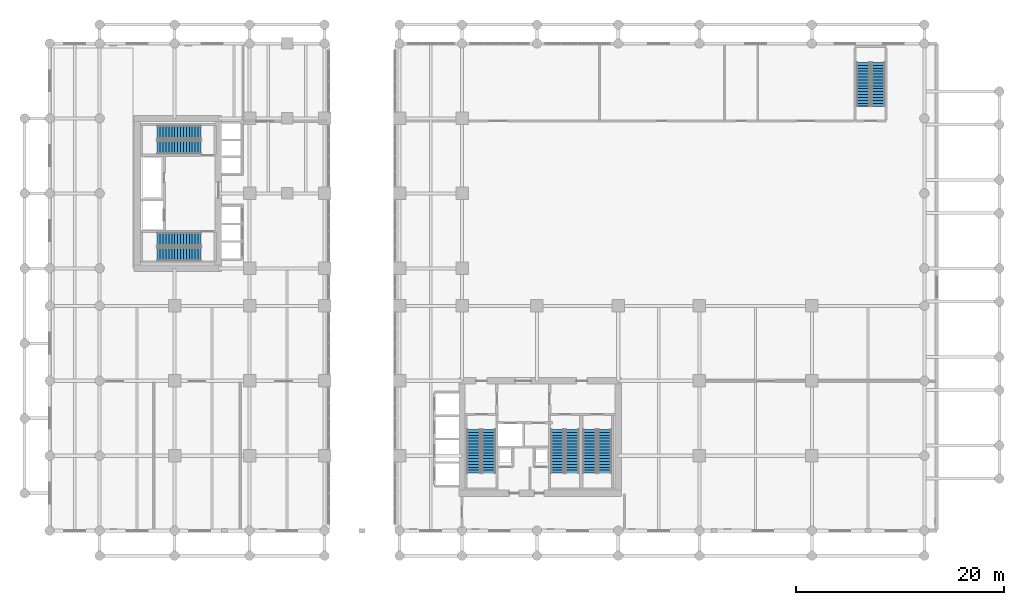
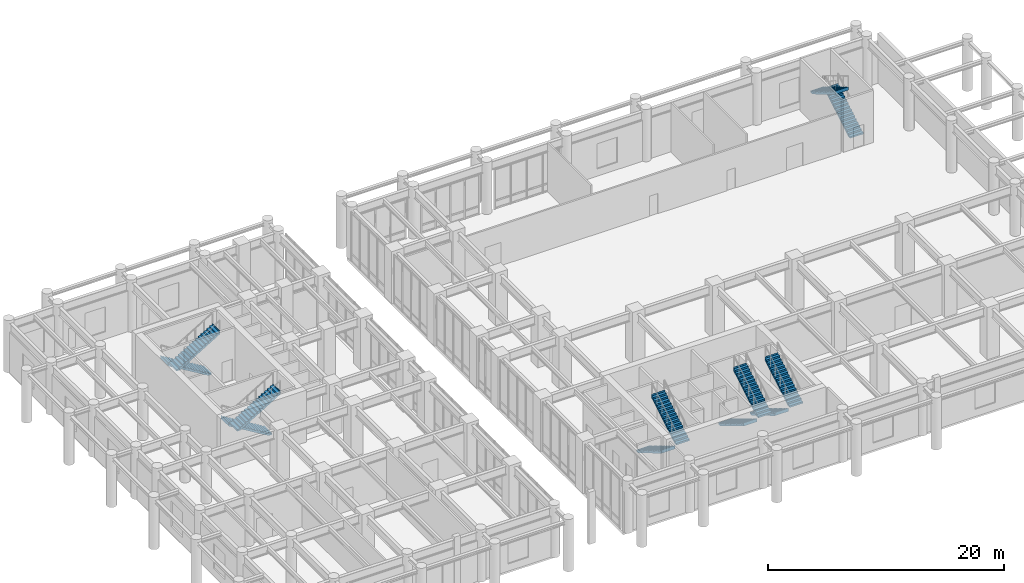
# One storey, part 19 of 23: 12 stair flights, 6 elements without a shape of their own.
"""IFC4 building model written with IfcOpenShell, lengths in metres."""

from ifc_helpers import new_model, si_unit, derived_unit, direction, frame, origin, place, context, subcontext, project, spatial, polyline, outline, extrude, source, transform, mapped, material, layer, layer_set, type_object, element, aggregate, save


model = new_model("IFC4")

# Units and contexts
model_context = context("Model", 3, precision=1e-05, world=origin(), true_north=direction((0.0, 1.0)))
body_context = subcontext(model_context, "Body", "Model", "MODEL_VIEW")
ifc_project = project(units=[si_unit("LENGTHUNIT", "METRE"), si_unit("AREAUNIT", "SQUARE_METRE"), si_unit("VOLUMEUNIT", "CUBIC_METRE"), si_unit("PLANEANGLEUNIT", "RADIAN"), si_unit("MASSUNIT", "GRAM", prefix="KILO"), si_unit("THERMODYNAMICTEMPERATUREUNIT", "KELVIN"), si_unit("POWERUNIT", "WATT"), derived_unit("THERMALTRANSMITTANCEUNIT", [(si_unit("POWERUNIT", "WATT"), 1), (si_unit("AREAUNIT", "SQUARE_METRE"), -1), (si_unit("THERMODYNAMICTEMPERATUREUNIT", "KELVIN"), -1)])], contexts=[model_context])

# Site, building, storey
site_placement = place(None, origin())
site = spatial("IfcSite", under=ifc_project, at=site_placement, CompositionType="ELEMENT")
building_placement = place(site_placement, origin())
building = spatial("IfcBuilding", under=site, at=building_placement, Name="Zahravan Archway Hotel and Residences", CompositionType="ELEMENT")
storey_placement = place(building_placement, frame((0.0, 0.0, 5.39990234375)))
storey = spatial("IfcBuildingStorey", under=building, at=storey_placement, Name="L01", CompositionType="ELEMENT", Elevation=5.39990234375)

# Stair, stair flights
ifc_material = material(Name="Concrete C50/60", Category="concrete")
stair_type = type_object("IfcStairType", Name="STR-CORE-1300", PredefinedType="HALF_TURN_STAIR", material=ifc_material)
stair_1_placement = place(storey_placement, origin())
stair_1 = element("IfcStair", 1, at=stair_1_placement, inside=storey, type_object=stair_type, Name="L01 Core A Exit Stair 1", PredefinedType="HALF_TURN_STAIR")
ifc_layer = layer(ifc_material, 0.199951171875, Name="Concrete C50/60", Category="concrete")
ifc_layer_set = layer_set([ifc_layer], Name="Concrete C50/60")
stair_flight_type = type_object("IfcStairFlightType", Name="SFL-CORE-1300", PredefinedType="STRAIGHT", material=ifc_layer_set)
shared_shape = source(origin(), body_context, "Body", "SweptSolid", [
    extrude(outline(polyline([(-0.01611328125, 0.0), (-0.01611328125, 0.168701171875), (0.280029296875, 0.168701171875), (0.280029296875, 0.33740234375), (0.56005859375, 0.33740234375), (0.56005859375, 0.50634765625), (0.840087890625, 0.50634765625), (0.840087890625, 0.675048828125), (1.1201171875, 0.675048828125), (1.1201171875, 0.84375), (1.39990234375, 0.84375), (1.39990234375, 1.012451171875), (1.679931640625, 1.012451171875), (1.679931640625, 1.18115234375), (1.9599609375, 1.18115234375), (1.9599609375, 1.35009765625), (2.239990234375, 1.35009765625), (2.239990234375, 1.518798828125), (2.52001953125, 1.518798828125), (2.52001953125, 1.6875), (2.800048828125, 1.6875), (2.800048828125, 1.856201171875), (3.080078125, 1.856201171875), (3.080078125, 2.02490234375), (3.360107421875, 2.02490234375), (3.360107421875, 2.19384765625), (3.639892578125, 2.19384765625), (3.639892578125, 2.362548828125), (3.919921875, 2.362548828125), (3.919921875, 2.53125), (4.199951171875, 2.53125), (4.199951171875, 2.699951171875), (4.216064453125, 2.699951171875), (4.216064453125, 2.356201171875), (0.29052734375, 0.0), (-0.01611328125, 0.0)])), frame((0.0, 0.64990234375, 0.0), z_axis=(0.0, -1.0, 0.0), x_axis=(1.0, 0.0, 0.0)), (0.0, 0.0, 1.0), 1.300048828125),
])
stair_flight_1_placement = place(storey_placement, frame((35.949951171875, 9.72998046875, 0.0), z_axis=(0.0, 0.0, 1.0), x_axis=(0.0, -1.0, 0.0)))
stair_flight_1 = element("IfcStairFlight", 2, at=stair_flight_1_placement, type_object=stair_flight_type, Name="ST-A1 flight 1", NumberOfRisers=16, NumberOfTreads=15, PredefinedType="STRAIGHT", RiserHeight=0.16875, TreadLength=0.28, context=body_context, shape_type="MappedRepresentation", body=[
    mapped(shared_shape, transform((0.0, 0.0, 0.0), scale=1.0)),
])
stair_flight_2_placement = place(storey_placement, frame((37.389892578125, 5.530029296875, 2.7001953125), z_axis=(0.0, 0.0, 1.0), x_axis=(0.0, 1.0, 0.0)))
stair_flight_2 = element("IfcStairFlight", 3, at=stair_flight_2_placement, type_object=stair_flight_type, Name="ST-A1 flight 2", NumberOfRisers=16, NumberOfTreads=15, PredefinedType="STRAIGHT", RiserHeight=0.16875, TreadLength=0.28, context=body_context, shape_type="MappedRepresentation", body=[
    mapped(shared_shape, transform((0.0, 0.0, 0.0), scale=1.0)),
])
aggregate(stair_1, [stair_flight_1, stair_flight_2])

stair_2_placement = place(storey_placement, origin())
stair_2 = element("IfcStair", 4, at=stair_2_placement, inside=storey, type_object=stair_type, Name="L01 Core A Exit Stair 2", PredefinedType="HALF_TURN_STAIR")
stair_flight_3_placement = place(storey_placement, frame((43.969970703125, 9.72998046875, 0.0), z_axis=(0.0, 0.0, 1.0), x_axis=(0.0, -1.0, 0.0)))
stair_flight_3 = element("IfcStairFlight", 5, at=stair_flight_3_placement, type_object=stair_flight_type, Name="ST-A2 flight 1", NumberOfRisers=16, NumberOfTreads=15, PredefinedType="STRAIGHT", RiserHeight=0.16875, TreadLength=0.28, context=body_context, shape_type="MappedRepresentation", body=[
    mapped(shared_shape, transform((0.0, 0.0, 0.0), scale=1.0)),
])
stair_flight_4_placement = place(storey_placement, frame((45.409912109375, 5.530029296875, 2.7001953125), z_axis=(0.0, 0.0, 1.0), x_axis=(0.0, 1.0, 0.0)))
stair_flight_4 = element("IfcStairFlight", 6, at=stair_flight_4_placement, type_object=stair_flight_type, Name="ST-A2 flight 2", NumberOfRisers=16, NumberOfTreads=15, PredefinedType="STRAIGHT", RiserHeight=0.16875, TreadLength=0.28, context=body_context, shape_type="MappedRepresentation", body=[
    mapped(shared_shape, transform((0.0, 0.0, 0.0), scale=1.0)),
])
aggregate(stair_2, [stair_flight_3, stair_flight_4])

stair_3_placement = place(storey_placement, origin())
stair_3 = element("IfcStair", 7, at=stair_3_placement, inside=storey, type_object=stair_type, Name="L01 Core A Exit Stair 3", PredefinedType="HALF_TURN_STAIR")
stair_flight_5_placement = place(storey_placement, frame((47.050048828125, 9.72998046875, 0.0), z_axis=(0.0, 0.0, 1.0), x_axis=(0.0, -1.0, 0.0)))
stair_flight_5 = element("IfcStairFlight", 8, at=stair_flight_5_placement, type_object=stair_flight_type, Name="ST-A3 flight 1", NumberOfRisers=16, NumberOfTreads=15, PredefinedType="STRAIGHT", RiserHeight=0.16875, TreadLength=0.28, context=body_context, shape_type="MappedRepresentation", body=[
    mapped(shared_shape, transform((0.0, 0.0, 0.0), scale=1.0)),
])
stair_flight_6_placement = place(storey_placement, frame((48.489990234375, 5.530029296875, 2.7001953125), z_axis=(0.0, 0.0, 1.0), x_axis=(0.0, 1.0, 0.0)))
stair_flight_6 = element("IfcStairFlight", 9, at=stair_flight_6_placement, type_object=stair_flight_type, Name="ST-A3 flight 2", NumberOfRisers=16, NumberOfTreads=15, PredefinedType="STRAIGHT", RiserHeight=0.16875, TreadLength=0.28, context=body_context, shape_type="MappedRepresentation", body=[
    mapped(shared_shape, transform((0.0, 0.0, 0.0), scale=1.0)),
])
aggregate(stair_3, [stair_flight_5, stair_flight_6])

stair_4_placement = place(storey_placement, origin())
stair_4 = element("IfcStair", 10, at=stair_4_placement, inside=storey, type_object=stair_type, Name="L01 Core B Exit Stair 1", PredefinedType="HALF_TURN_STAIR")
stair_flight_7_placement = place(storey_placement, frame((9.72998046875, 27.989990234375, 0.0), z_axis=(0.0, 0.0, 1.0), x_axis=(-1.0, 0.0, 0.0)))
stair_flight_7 = element("IfcStairFlight", 11, at=stair_flight_7_placement, type_object=stair_flight_type, Name="ST-B1 flight 1", NumberOfRisers=16, NumberOfTreads=15, PredefinedType="STRAIGHT", RiserHeight=0.16875, TreadLength=0.28, context=body_context, shape_type="MappedRepresentation", body=[
    mapped(shared_shape, transform((0.0, 0.0, 0.0), scale=1.0)),
])
stair_flight_8_placement = place(storey_placement, frame((5.530029296875, 26.550048828125, 2.7001953125), z_axis=(0.0, 0.0, 1.0), x_axis=(1.0, 0.0, 0.0)))
stair_flight_8 = element("IfcStairFlight", 12, at=stair_flight_8_placement, type_object=stair_flight_type, Name="ST-B1 flight 2", NumberOfRisers=16, NumberOfTreads=15, PredefinedType="STRAIGHT", RiserHeight=0.16875, TreadLength=0.28, context=body_context, shape_type="MappedRepresentation", body=[
    mapped(shared_shape, transform((0.0, 0.0, 0.0), scale=1.0)),
])
aggregate(stair_4, [stair_flight_7, stair_flight_8])

stair_5_placement = place(storey_placement, origin())
stair_5 = element("IfcStair", 13, at=stair_5_placement, inside=storey, type_object=stair_type, Name="L01 Core B Exit Stair 2", PredefinedType="HALF_TURN_STAIR")
stair_flight_9_placement = place(storey_placement, frame((9.72998046875, 38.25, 0.0), z_axis=(0.0, 0.0, 1.0), x_axis=(-1.0, 0.0, 0.0)))
stair_flight_9 = element("IfcStairFlight", 14, at=stair_flight_9_placement, type_object=stair_flight_type, Name="ST-B2 flight 1", NumberOfRisers=16, NumberOfTreads=15, PredefinedType="STRAIGHT", RiserHeight=0.16875, TreadLength=0.28, context=body_context, shape_type="MappedRepresentation", body=[
    mapped(shared_shape, transform((0.0, 0.0, 0.0), scale=1.0)),
])
stair_flight_10_placement = place(storey_placement, frame((5.530029296875, 36.81005859375, 2.7001953125), z_axis=(0.0, 0.0, 1.0), x_axis=(1.0, 0.0, 0.0)))
stair_flight_10 = element("IfcStairFlight", 15, at=stair_flight_10_placement, type_object=stair_flight_type, Name="ST-B2 flight 2", NumberOfRisers=16, NumberOfTreads=15, PredefinedType="STRAIGHT", RiserHeight=0.16875, TreadLength=0.28, context=body_context, shape_type="MappedRepresentation", body=[
    mapped(shared_shape, transform((0.0, 0.0, 0.0), scale=1.0)),
])
aggregate(stair_5, [stair_flight_9, stair_flight_10])

stair_6_placement = place(storey_placement, origin())
stair_6 = element("IfcStair", 16, at=stair_6_placement, inside=storey, type_object=stair_type, Name="L01 East Station Galleria Exit Stair", PredefinedType="HALF_TURN_STAIR")
stair_flight_11_placement = place(storey_placement, frame((74.75, 40.77001953125, 0.0), z_axis=(0.0, 0.0, 1.0), x_axis=(0.0, 1.0, 0.0)))
stair_flight_11 = element("IfcStairFlight", 17, at=stair_flight_11_placement, type_object=stair_flight_type, Name="ST-P1 flight 1", NumberOfRisers=16, NumberOfTreads=15, PredefinedType="STRAIGHT", RiserHeight=0.16875, TreadLength=0.28, context=body_context, shape_type="MappedRepresentation", body=[
    mapped(shared_shape, transform((0.0, 0.0, 0.0), scale=1.0)),
])
stair_flight_12_placement = place(storey_placement, frame((73.31005859375, 44.969970703125, 2.7001953125), z_axis=(0.0, 0.0, 1.0), x_axis=(0.0, -1.0, 0.0)))
stair_flight_12 = element("IfcStairFlight", 18, at=stair_flight_12_placement, type_object=stair_flight_type, Name="ST-P1 flight 2", NumberOfRisers=16, NumberOfTreads=15, PredefinedType="STRAIGHT", RiserHeight=0.16875, TreadLength=0.28, context=body_context, shape_type="MappedRepresentation", body=[
    mapped(shared_shape, transform((0.0, 0.0, 0.0), scale=1.0)),
])
aggregate(stair_6, [stair_flight_11, stair_flight_12])

save(model, "model.ifc")
